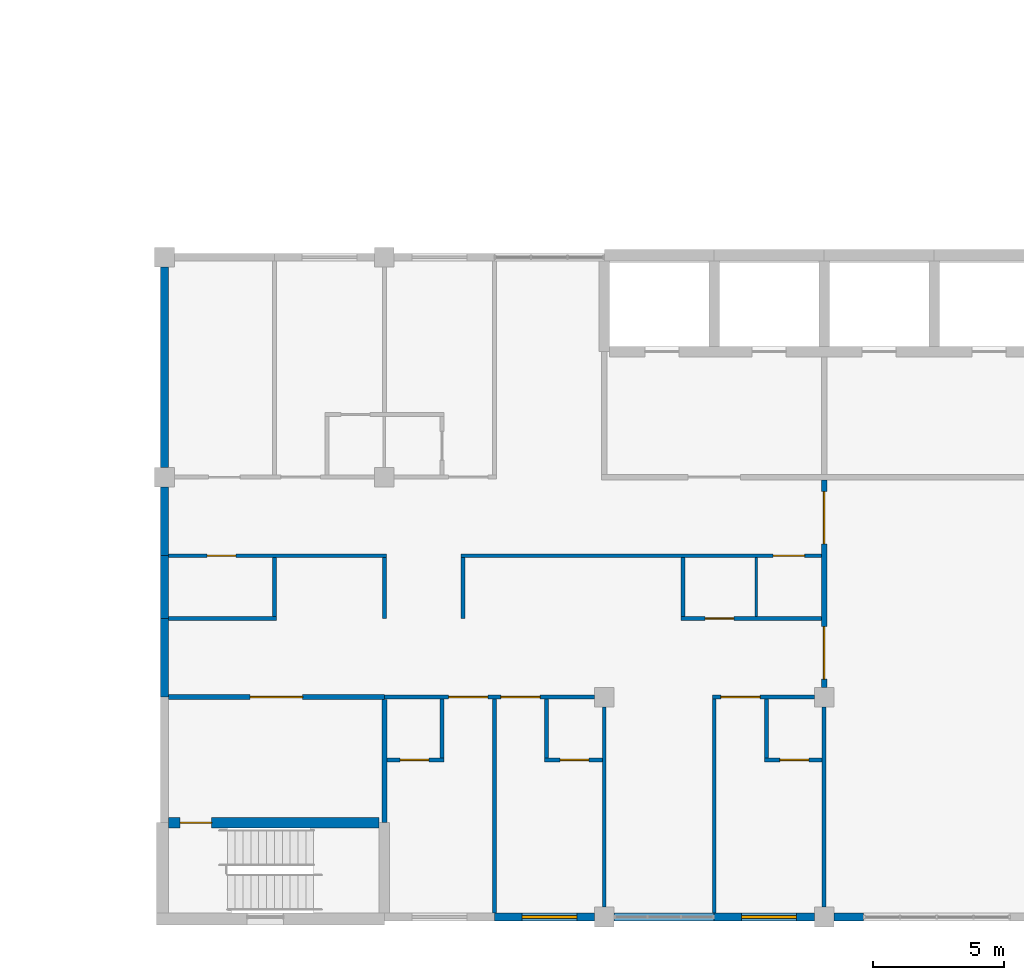
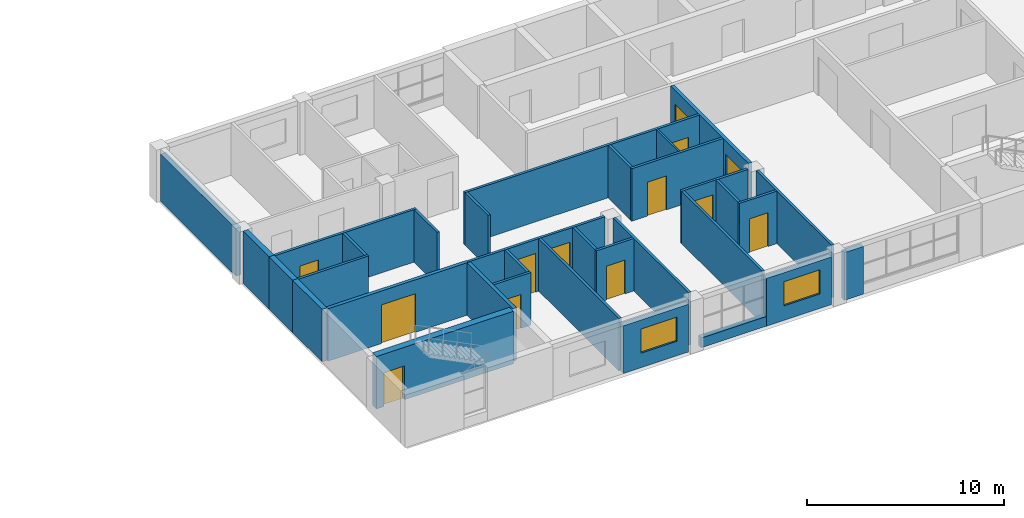
# One storey, part 30 of 46: 33 walls, 13 doors, 2 windows, 15 openings.
"""IFC4 building model written with IfcOpenShell, lengths in metres."""

from ifc_helpers import new_model, si_unit, direction, frame, frame_2d, origin, place, context, subcontext, project, spatial, rectangle, extrude, material, layer, layer_set, type_object, element, fill, save


model = new_model("IFC4")

# Units and contexts
model_context = context("Model", 3, precision=1e-05, world=origin(), true_north=direction((0.0, 1.0)))
body_context = subcontext(model_context, "Body", "Model", "MODEL_VIEW")
ifc_project = project(units=[si_unit("LENGTHUNIT", "METRE"), si_unit("AREAUNIT", "SQUARE_METRE"), si_unit("VOLUMEUNIT", "CUBIC_METRE"), si_unit("PLANEANGLEUNIT", "RADIAN"), si_unit("MASSUNIT", "GRAM", prefix="KILO")], contexts=[model_context])

# Site, building, storey
site_placement = place(None, origin())
site = spatial("IfcSite", under=ifc_project, at=site_placement, CompositionType="ELEMENT")
building_placement = place(site_placement, origin())
building = spatial("IfcBuilding", under=site, at=building_placement, Name="Yavir Park General Hospital", CompositionType="ELEMENT")
storey_placement = place(building_placement, frame((0.0, 0.0, 18.89990234375)))
storey = spatial("IfcBuildingStorey", under=building, at=storey_placement, Name="L04", CompositionType="ELEMENT", Elevation=18.89990234375)

# Wall, opening, door
ifc_material_1 = material(Name="Double gypsum board fire partition on steel studs", Category="steel")
ifc_layer_1 = layer(ifc_material_1, 0.199951171875)
ifc_layer_set_1 = layer_set([ifc_layer_1], Name="Double gypsum board fire partition on steel studs")
wall_type_1 = type_object("IfcWallType", Name="Fire-rated partition 200, EI 60", PredefinedType="PARTITIONING", material=ifc_layer_set_1)
wall_1_placement = place(storey_placement, frame((100.949951171875, 8.39990234375, 0.0), z_axis=(0.0, 0.0, 1.0), x_axis=(1.0, 0.0, 0.0)))
wall_1 = element("IfcWall", 1, at=wall_1_placement, inside=storey, type_object=wall_type_1, Name="FP20 L04-018", PredefinedType="PARTITIONING", context=body_context, shape_type="SweptSolid", body=[
    extrude(rectangle(XDim=8.25, YDim=0.199951171875, at=frame_2d((4.125, 0.0))), origin(), (0.0, 0.0, 1.0), 3.260009765625),
])
opening_1_placement = place(wall_1_placement, frame((3.125, 0.0, 0.0)))
opening_1 = element("IfcOpeningElement", 2, at=opening_1_placement, cuts=wall_1, Name="Opening L04.D023", PredefinedType="OPENING", context=body_context, shape_type="SweptSolid", body=[
    extrude(rectangle(XDim=2.0, YDim=2.39990234375, at=frame_2d((1.0, 1.199951171875))), frame((0.0, 0.10986328125, 0.0), z_axis=(0.0, -1.0, 0.0), x_axis=(1.0, 0.0, 0.0)), (0.0, 0.0, 1.0), 0.219970703125),
])
ifc_material_2 = material(Name="Steel frame, fire-resisting leaves with vision panels", Category="steel")
door_type_1 = type_object("IfcDoorType", Name="Double fire door with vision panels 2000 x 2400, EI 60", OperationType="DOUBLE_DOOR_SINGLE_SWING", PredefinedType="DOOR", material=ifc_material_2)
door_1_placement = place(opening_1_placement, origin())
door_1 = element("IfcDoor", 3, at=door_1_placement, inside=storey, type_object=door_type_1, Name="L04.D023", OperationType="SINGLE_SWING_RIGHT", OverallHeight=2.39990234375, OverallWidth=2.0, PredefinedType="DOOR", context=body_context, shape_type="SweptSolid", body=[
    extrude(rectangle(XDim=2.0, YDim=2.39990234375, at=frame_2d((1.0, 1.199951171875))), frame((0.0, 0.030029296875, 0.0), z_axis=(0.0, -1.0, 0.0), x_axis=(1.0, 0.0, 0.0)), (0.0, 0.0, 1.0), 0.06005859375),
])
fill(opening_1, door_1)

# Wall
wall_2_placement = place(storey_placement, frame((109.199951171875, 3.60009765625, 0.0), z_axis=(0.0, 0.0, 1.0), x_axis=(0.0, 1.0, 0.0)))
element("IfcWall", 4, at=wall_2_placement, inside=storey, type_object=wall_type_1, Name="FP20 L04-229", PredefinedType="PARTITIONING", context=body_context, shape_type="SweptSolid", body=[
    extrude(rectangle(XDim=4.699951171875, YDim=0.199951171875, at=frame_2d((2.35009765625, 0.0))), origin(), (0.0, 0.0, 1.0), 3.260009765625),
])

# Wall, openings, doors
wall_3_placement = place(storey_placement, frame((126.0, 8.77490234375, 0.0), z_axis=(0.0, 0.0, 1.0), x_axis=(0.0, 1.0, 0.0)))
wall_3 = element("IfcWall", 5, at=wall_3_placement, inside=storey, type_object=wall_type_1, Name="FP20 L04-248", PredefinedType="PARTITIONING", context=body_context, shape_type="SweptSolid", body=[
    extrude(rectangle(XDim=7.925048828125, YDim=0.199951171875, at=frame_2d((3.96240234375, 0.0))), origin(), (0.0, 0.0, 1.0), 3.260009765625),
])
opening_2_placement = place(wall_3_placement, frame((0.3125, 0.0, 0.0)))
opening_2 = element("IfcOpeningElement", 6, at=opening_2_placement, cuts=wall_3, Name="Opening L04.D145", PredefinedType="OPENING", context=body_context, shape_type="SweptSolid", body=[
    extrude(rectangle(XDim=2.0, YDim=2.39990234375, at=frame_2d((1.0, 1.199951171875))), frame((0.0, 0.10986328125, 0.0), z_axis=(0.0, -1.0, 0.0), x_axis=(1.0, 0.0, 0.0)), (0.0, 0.0, 1.0), 0.219970703125),
])
opening_3_placement = place(wall_3_placement, frame((5.47509765625, 0.0, 0.0)))
opening_3 = element("IfcOpeningElement", 7, at=opening_3_placement, cuts=wall_3, Name="Opening L04.D146", PredefinedType="OPENING", context=body_context, shape_type="SweptSolid", body=[
    extrude(rectangle(XDim=2.0, YDim=2.39990234375, at=frame_2d((1.0, 1.199951171875))), frame((0.0, 0.10986328125, 0.0), z_axis=(0.0, -1.0, 0.0), x_axis=(1.0, 0.0, 0.0)), (0.0, 0.0, 1.0), 0.219970703125),
])
door_2_placement = place(opening_2_placement, origin())
door_2 = element("IfcDoor", 8, at=door_2_placement, inside=storey, type_object=door_type_1, Name="L04.D145", OperationType="SINGLE_SWING_LEFT", OverallHeight=2.39990234375, OverallWidth=2.0, PredefinedType="DOOR", context=body_context, shape_type="SweptSolid", body=[
    extrude(rectangle(XDim=2.0, YDim=2.39990234375, at=frame_2d((1.0, 1.199951171875))), frame((0.0, 0.030029296875, 0.0), z_axis=(0.0, -1.0, 0.0), x_axis=(1.0, 0.0, 0.0)), (0.0, 0.0, 1.0), 0.06005859375),
])
fill(opening_2, door_2)
door_3_placement = place(opening_3_placement, origin())
door_3 = element("IfcDoor", 9, at=door_3_placement, inside=storey, type_object=door_type_1, Name="L04.D146", OperationType="SINGLE_SWING_RIGHT", OverallHeight=2.39990234375, OverallWidth=2.0, PredefinedType="DOOR", context=body_context, shape_type="SweptSolid", body=[
    extrude(rectangle(XDim=2.0, YDim=2.39990234375, at=frame_2d((1.0, 1.199951171875))), frame((0.0, 0.030029296875, 0.0), z_axis=(0.0, -1.0, 0.0), x_axis=(1.0, 0.0, 0.0)), (0.0, 0.0, 1.0), 0.06005859375),
])
fill(opening_3, door_3)

# Wall
ifc_material_3 = material(Name="Gypsum board partition on steel studs", Category="steel")
ifc_layer_2 = layer(ifc_material_3, 0.10009765625)
ifc_layer_set_2 = layer_set([ifc_layer_2], Name="Gypsum board partition on steel studs")
wall_type_2 = type_object("IfcWallType", Name="Gypsum board partition 100", PredefinedType="PARTITIONING", material=ifc_layer_set_2)
wall_4_placement = place(storey_placement, frame((123.39990234375, 11.47509765625, 0.0), z_axis=(0.0, 0.0, 1.0), x_axis=(0.0, 1.0, 0.0)))
element("IfcWall", 10, at=wall_4_placement, inside=storey, type_object=wall_type_2, Name="P10 L04-245", PredefinedType="PARTITIONING", context=body_context, shape_type="SweptSolid", body=[
    extrude(rectangle(XDim=2.25, YDim=0.10009765625, at=frame_2d((1.125, 0.0))), origin(), (0.0, 0.0, 1.0), 3.260009765625),
])

# Wall, opening, door
ifc_material_4 = material(Name="Gypsum board partition on steel studs", Category="steel")
ifc_layer_3 = layer(ifc_material_4, 0.14990234375)
ifc_layer_set_3 = layer_set([ifc_layer_3], Name="Gypsum board partition on steel studs")
wall_type_3 = type_object("IfcWallType", Name="Gypsum board partition 150", PredefinedType="PARTITIONING", material=ifc_layer_set_3)
wall_5_placement = place(storey_placement, frame((109.300048828125, 6.0, 0.0), z_axis=(0.0, 0.0, 1.0), x_axis=(1.0, 0.0, 0.0)))
wall_5 = element("IfcWall", 11, at=wall_5_placement, inside=storey, type_object=wall_type_3, Name="P15 L04-008", PredefinedType="PARTITIONING", context=body_context, shape_type="SweptSolid", body=[
    extrude(rectangle(XDim=2.175048828125, YDim=0.14990234375, at=frame_2d((1.08740234375, 0.0))), origin(), (0.0, 0.0, 1.0), 3.260009765625),
])
opening_4_placement = place(wall_5_placement, frame((0.5, 0.0, 0.0)))
opening_4 = element("IfcOpeningElement", 12, at=opening_4_placement, cuts=wall_5, Name="Opening L04.D009", PredefinedType="OPENING", context=body_context, shape_type="SweptSolid", body=[
    extrude(rectangle(XDim=1.10009765625, YDim=2.10009765625, at=frame_2d((0.550048828125, 1.050048828125))), frame((0.0, 0.0849609375, 0.0), z_axis=(0.0, -1.0, 0.0), x_axis=(1.0, 0.0, 0.0)), (0.0, 0.0, 1.0), 0.169921875),
])
ifc_material_5 = material(Name="Hollow metal frame, solid-core timber leaf", Category="wood")
door_type_2 = type_object("IfcDoorType", Name="Single swing door 1100 x 2100", OperationType="SINGLE_SWING_LEFT", PredefinedType="DOOR", material=ifc_material_5)
door_4_placement = place(opening_4_placement, origin())
door_4 = element("IfcDoor", 13, at=door_4_placement, inside=storey, type_object=door_type_2, Name="L04.D009", OperationType="SINGLE_SWING_LEFT", OverallHeight=2.10009765625, OverallWidth=1.10009765625, PredefinedType="DOOR", context=body_context, shape_type="SweptSolid", body=[
    extrude(rectangle(XDim=1.10009765625, YDim=2.10009765625, at=frame_2d((0.550048828125, 1.050048828125))), frame((0.0, 0.02490234375, 0.0), z_axis=(0.0, -1.0, 0.0), x_axis=(1.0, 0.0, 0.0)), (0.0, 0.0, 1.0), 0.050048828125),
])
fill(opening_4, door_4)

wall_6_placement = place(storey_placement, frame((115.324951171875, 6.0, 0.0), z_axis=(0.0, 0.0, 1.0), x_axis=(1.0, 0.0, 0.0)))
wall_6 = element("IfcWall", 14, at=wall_6_placement, inside=storey, type_object=wall_type_3, Name="P15 L04-009", PredefinedType="PARTITIONING", context=body_context, shape_type="SweptSolid", body=[
    extrude(rectangle(XDim=2.199951171875, YDim=0.14990234375, at=frame_2d((1.10009765625, 0.0))), origin(), (0.0, 0.0, 1.0), 3.260009765625),
])
opening_5_placement = place(wall_6_placement, frame((0.58740234375, 0.0, 0.0)))
opening_5 = element("IfcOpeningElement", 15, at=opening_5_placement, cuts=wall_6, Name="Opening L04.D010", PredefinedType="OPENING", context=body_context, shape_type="SweptSolid", body=[
    extrude(rectangle(XDim=1.10009765625, YDim=2.10009765625, at=frame_2d((0.550048828125, 1.050048828125))), frame((0.0, 0.0849609375, 0.0), z_axis=(0.0, -1.0, 0.0), x_axis=(1.0, 0.0, 0.0)), (0.0, 0.0, 1.0), 0.169921875),
])
door_5_placement = place(opening_5_placement, origin())
door_5 = element("IfcDoor", 16, at=door_5_placement, inside=storey, type_object=door_type_2, Name="L04.D010", OperationType="SINGLE_SWING_RIGHT", OverallHeight=2.10009765625, OverallWidth=1.10009765625, PredefinedType="DOOR", context=body_context, shape_type="SweptSolid", body=[
    extrude(rectangle(XDim=1.10009765625, YDim=2.10009765625, at=frame_2d((0.550048828125, 1.050048828125))), frame((0.0, 0.02490234375, 0.0), z_axis=(0.0, -1.0, 0.0), x_axis=(1.0, 0.0, 0.0)), (0.0, 0.0, 1.0), 0.050048828125),
])
fill(opening_5, door_5)

wall_7_placement = place(storey_placement, frame((123.72509765625, 6.0, 0.0), z_axis=(0.0, 0.0, 1.0), x_axis=(1.0, 0.0, 0.0)))
wall_7 = element("IfcWall", 17, at=wall_7_placement, inside=storey, type_object=wall_type_3, Name="P15 L04-010", PredefinedType="PARTITIONING", context=body_context, shape_type="SweptSolid", body=[
    extrude(rectangle(XDim=2.199951171875, YDim=0.14990234375, at=frame_2d((1.10009765625, 0.0))), origin(), (0.0, 0.0, 1.0), 3.260009765625),
])
opening_6_placement = place(wall_7_placement, frame((0.58740234375, 0.0, 0.0)))
opening_6 = element("IfcOpeningElement", 18, at=opening_6_placement, cuts=wall_7, Name="Opening L04.D011", PredefinedType="OPENING", context=body_context, shape_type="SweptSolid", body=[
    extrude(rectangle(XDim=1.10009765625, YDim=2.10009765625, at=frame_2d((0.550048828125, 1.050048828125))), frame((0.0, 0.0849609375, 0.0), z_axis=(0.0, -1.0, 0.0), x_axis=(1.0, 0.0, 0.0)), (0.0, 0.0, 1.0), 0.169921875),
])
door_6_placement = place(opening_6_placement, origin())
door_6 = element("IfcDoor", 19, at=door_6_placement, inside=storey, type_object=door_type_2, Name="L04.D011", OperationType="SINGLE_SWING_RIGHT", OverallHeight=2.10009765625, OverallWidth=1.10009765625, PredefinedType="DOOR", context=body_context, shape_type="SweptSolid", body=[
    extrude(rectangle(XDim=1.10009765625, YDim=2.10009765625, at=frame_2d((0.550048828125, 1.050048828125))), frame((0.0, 0.02490234375, 0.0), z_axis=(0.0, -1.0, 0.0), x_axis=(1.0, 0.0, 0.0)), (0.0, 0.0, 1.0), 0.050048828125),
])
fill(opening_6, door_6)

# Wall, openings, doors
wall_8_placement = place(storey_placement, frame((109.199951171875, 8.39990234375, 0.0), z_axis=(0.0, 0.0, 1.0), x_axis=(1.0, 0.0, 0.0)))
wall_8 = element("IfcWall", 20, at=wall_8_placement, inside=storey, type_object=wall_type_3, Name="P15 L04-019", PredefinedType="PARTITIONING", context=body_context, shape_type="SweptSolid", body=[
    extrude(rectangle(XDim=8.025146484375, YDim=0.14990234375, at=frame_2d((4.0126953125, 0.0))), origin(), (0.0, 0.0, 1.0), 3.260009765625),
])
opening_7_placement = place(wall_8_placement, frame((2.449951171875, 0.0, 0.0)))
opening_7 = element("IfcOpeningElement", 21, at=opening_7_placement, cuts=wall_8, Name="Opening L04.D024", PredefinedType="OPENING", context=body_context, shape_type="SweptSolid", body=[
    extrude(rectangle(XDim=1.5, YDim=2.39990234375, at=frame_2d((0.75, 1.199951171875))), frame((0.0, 0.0849609375, 0.0), z_axis=(0.0, -1.0, 0.0), x_axis=(1.0, 0.0, 0.0)), (0.0, 0.0, 1.0), 0.169921875),
])
opening_8_placement = place(wall_8_placement, frame((4.449951171875, 0.0, 0.0)))
opening_8 = element("IfcOpeningElement", 22, at=opening_8_placement, cuts=wall_8, Name="Opening L04.D025", PredefinedType="OPENING", context=body_context, shape_type="SweptSolid", body=[
    extrude(rectangle(XDim=1.5, YDim=2.39990234375, at=frame_2d((0.75, 1.199951171875))), frame((0.0, 0.0849609375, 0.0), z_axis=(0.0, -1.0, 0.0), x_axis=(1.0, 0.0, 0.0)), (0.0, 0.0, 1.0), 0.169921875),
])
ifc_material_6 = material(Name="Solid-core timber leaves, push plates, kick plates", Category="wood")
door_type_3 = type_object("IfcDoorType", Name="Bed door, unequal leaves 1500 x 2400", OperationType="DOUBLE_DOOR_SINGLE_SWING", PredefinedType="DOOR", material=ifc_material_6)
door_7_placement = place(opening_7_placement, origin())
door_7 = element("IfcDoor", 23, at=door_7_placement, inside=storey, type_object=door_type_3, Name="L04.D024", OperationType="SINGLE_SWING_LEFT", OverallHeight=2.39990234375, OverallWidth=1.5, PredefinedType="DOOR", context=body_context, shape_type="SweptSolid", body=[
    extrude(rectangle(XDim=1.5, YDim=2.39990234375, at=frame_2d((0.75, 1.199951171875))), frame((0.0, 0.030029296875, 0.0), z_axis=(0.0, -1.0, 0.0), x_axis=(1.0, 0.0, 0.0)), (0.0, 0.0, 1.0), 0.06005859375),
])
fill(opening_7, door_7)
door_8_placement = place(opening_8_placement, origin())
door_8 = element("IfcDoor", 24, at=door_8_placement, inside=storey, type_object=door_type_3, Name="L04.D025", OperationType="SINGLE_SWING_LEFT", OverallHeight=2.39990234375, OverallWidth=1.5, PredefinedType="DOOR", context=body_context, shape_type="SweptSolid", body=[
    extrude(rectangle(XDim=1.5, YDim=2.39990234375, at=frame_2d((0.75, 1.199951171875))), frame((0.0, 0.030029296875, 0.0), z_axis=(0.0, -1.0, 0.0), x_axis=(1.0, 0.0, 0.0)), (0.0, 0.0, 1.0), 0.06005859375),
])
fill(opening_8, door_8)

# Wall, opening, door
wall_9_placement = place(storey_placement, frame((121.72509765625, 8.39990234375, 0.0), z_axis=(0.0, 0.0, 1.0), x_axis=(1.0, 0.0, 0.0)))
wall_9 = element("IfcWall", 25, at=wall_9_placement, inside=storey, type_object=wall_type_3, Name="P15 L04-020", PredefinedType="PARTITIONING", context=body_context, shape_type="SweptSolid", body=[
    extrude(rectangle(XDim=3.89990234375, YDim=0.14990234375, at=frame_2d((1.949951171875, 0.0))), origin(), (0.0, 0.0, 1.0), 3.260009765625),
])
opening_9_placement = place(wall_9_placement, frame((0.324951171875, 0.0, 0.0)))
opening_9 = element("IfcOpeningElement", 26, at=opening_9_placement, cuts=wall_9, Name="Opening L04.D026", PredefinedType="OPENING", context=body_context, shape_type="SweptSolid", body=[
    extrude(rectangle(XDim=1.5, YDim=2.39990234375, at=frame_2d((0.75, 1.199951171875))), frame((0.0, 0.0849609375, 0.0), z_axis=(0.0, -1.0, 0.0), x_axis=(1.0, 0.0, 0.0)), (0.0, 0.0, 1.0), 0.169921875),
])
door_9_placement = place(opening_9_placement, origin())
door_9 = element("IfcDoor", 27, at=door_9_placement, inside=storey, type_object=door_type_3, Name="L04.D026", OperationType="SINGLE_SWING_LEFT", OverallHeight=2.39990234375, OverallWidth=1.5, PredefinedType="DOOR", context=body_context, shape_type="SweptSolid", body=[
    extrude(rectangle(XDim=1.5, YDim=2.39990234375, at=frame_2d((0.75, 1.199951171875))), frame((0.0, 0.030029296875, 0.0), z_axis=(0.0, -1.0, 0.0), x_axis=(1.0, 0.0, 0.0)), (0.0, 0.0, 1.0), 0.06005859375),
])
fill(opening_9, door_9)

# Wall
wall_10_placement = place(storey_placement, frame((100.949951171875, 11.39990234375, 0.0), z_axis=(0.0, 0.0, 1.0), x_axis=(1.0, 0.0, 0.0)))
element("IfcWall", 28, at=wall_10_placement, inside=storey, type_object=wall_type_3, Name="P15 L04-026", PredefinedType="PARTITIONING", context=body_context, shape_type="SweptSolid", body=[
    extrude(rectangle(XDim=4.125, YDim=0.14990234375, at=frame_2d((2.0625, 0.0))), origin(), (0.0, 0.0, 1.0), 3.260009765625),
])

# Wall, opening, door
wall_11_placement = place(storey_placement, frame((120.52490234375, 11.39990234375, 0.0), z_axis=(0.0, 0.0, 1.0), x_axis=(1.0, 0.0, 0.0)))
wall_11 = element("IfcWall", 29, at=wall_11_placement, inside=storey, type_object=wall_type_3, Name="P15 L04-027", PredefinedType="PARTITIONING", context=body_context, shape_type="SweptSolid", body=[
    extrude(rectangle(XDim=5.375, YDim=0.14990234375, at=frame_2d((2.6875, 0.0))), origin(), (0.0, 0.0, 1.0), 3.260009765625),
])
opening_10_placement = place(wall_11_placement, frame((0.925048828125, 0.0, 0.0)))
opening_10 = element("IfcOpeningElement", 30, at=opening_10_placement, cuts=wall_11, Name="Opening L04.D033", PredefinedType="OPENING", context=body_context, shape_type="SweptSolid", body=[
    extrude(rectangle(XDim=1.10009765625, YDim=2.10009765625, at=frame_2d((0.550048828125, 1.050048828125))), frame((0.0, 0.0849609375, 0.0), z_axis=(0.0, -1.0, 0.0), x_axis=(1.0, 0.0, 0.0)), (0.0, 0.0, 1.0), 0.169921875),
])
door_10_placement = place(opening_10_placement, origin())
door_10 = element("IfcDoor", 31, at=door_10_placement, inside=storey, type_object=door_type_2, Name="L04.D033", OperationType="SINGLE_SWING_RIGHT", OverallHeight=2.10009765625, OverallWidth=1.10009765625, PredefinedType="DOOR", context=body_context, shape_type="SweptSolid", body=[
    extrude(rectangle(XDim=1.10009765625, YDim=2.10009765625, at=frame_2d((0.550048828125, 1.050048828125))), frame((0.0, 0.02490234375, 0.0), z_axis=(0.0, -1.0, 0.0), x_axis=(1.0, 0.0, 0.0)), (0.0, 0.0, 1.0), 0.050048828125),
])
fill(opening_10, door_10)

wall_12_placement = place(storey_placement, frame((100.949951171875, 13.800048828125, 0.0), z_axis=(0.0, 0.0, 1.0), x_axis=(1.0, 0.0, 0.0)))
wall_12 = element("IfcWall", 32, at=wall_12_placement, inside=storey, type_object=wall_type_3, Name="P15 L04-031", PredefinedType="PARTITIONING", context=body_context, shape_type="SweptSolid", body=[
    extrude(rectangle(XDim=8.324951171875, YDim=0.14990234375, at=frame_2d((4.16259765625, 0.0))), origin(), (0.0, 0.0, 1.0), 3.260009765625),
])
opening_11_placement = place(wall_12_placement, frame((1.47509765625, 0.0, 0.0)))
opening_11 = element("IfcOpeningElement", 33, at=opening_11_placement, cuts=wall_12, Name="Opening L04.D036", PredefinedType="OPENING", context=body_context, shape_type="SweptSolid", body=[
    extrude(rectangle(XDim=1.10009765625, YDim=2.10009765625, at=frame_2d((0.550048828125, 1.050048828125))), frame((0.0, 0.0849609375, 0.0), z_axis=(0.0, -1.0, 0.0), x_axis=(1.0, 0.0, 0.0)), (0.0, 0.0, 1.0), 0.169921875),
])
door_11_placement = place(opening_11_placement, origin())
door_11 = element("IfcDoor", 34, at=door_11_placement, inside=storey, type_object=door_type_2, Name="L04.D036", OperationType="SINGLE_SWING_RIGHT", OverallHeight=2.10009765625, OverallWidth=1.10009765625, PredefinedType="DOOR", context=body_context, shape_type="SweptSolid", body=[
    extrude(rectangle(XDim=1.10009765625, YDim=2.10009765625, at=frame_2d((0.550048828125, 1.050048828125))), frame((0.0, 0.02490234375, 0.0), z_axis=(0.0, -1.0, 0.0), x_axis=(1.0, 0.0, 0.0)), (0.0, 0.0, 1.0), 0.050048828125),
])
fill(opening_11, door_11)

wall_13_placement = place(storey_placement, frame((112.125, 13.800048828125, 0.0), z_axis=(0.0, 0.0, 1.0), x_axis=(1.0, 0.0, 0.0)))
wall_13 = element("IfcWall", 35, at=wall_13_placement, inside=storey, type_object=wall_type_3, Name="P15 L04-032", PredefinedType="PARTITIONING", context=body_context, shape_type="SweptSolid", body=[
    extrude(rectangle(XDim=13.77490234375, YDim=0.14990234375, at=frame_2d((6.887451171875, 0.0))), origin(), (0.0, 0.0, 1.0), 3.260009765625),
])
opening_12_placement = place(wall_13_placement, frame((11.925048828125, 0.0, 0.0)))
opening_12 = element("IfcOpeningElement", 36, at=opening_12_placement, cuts=wall_13, Name="Opening L04.D037", PredefinedType="OPENING", context=body_context, shape_type="SweptSolid", body=[
    extrude(rectangle(XDim=1.199951171875, YDim=2.10009765625, at=frame_2d((0.60009765625, 1.050048828125))), frame((0.0, 0.0849609375, 0.0), z_axis=(0.0, -1.0, 0.0), x_axis=(1.0, 0.0, 0.0)), (0.0, 0.0, 1.0), 0.169921875),
])
ifc_material_7 = material(Name="Hollow metal frame, solid-core timber leaf", Category="wood")
door_type_4 = type_object("IfcDoorType", Name="Single swing door 1200 x 2100", OperationType="SINGLE_SWING_LEFT", PredefinedType="DOOR", material=ifc_material_7)
door_12_placement = place(opening_12_placement, origin())
door_12 = element("IfcDoor", 37, at=door_12_placement, inside=storey, type_object=door_type_4, Name="L04.D037", OperationType="SINGLE_SWING_LEFT", OverallHeight=2.10009765625, OverallWidth=1.199951171875, PredefinedType="DOOR", context=body_context, shape_type="SweptSolid", body=[
    extrude(rectangle(XDim=1.199951171875, YDim=2.10009765625, at=frame_2d((0.60009765625, 1.050048828125))), frame((0.0, 0.02490234375, 0.0), z_axis=(0.0, -1.0, 0.0), x_axis=(1.0, 0.0, 0.0)), (0.0, 0.0, 1.0), 0.050048828125),
])
fill(opening_12, door_12)

# Walls
wall_14_placement = place(storey_placement, frame((105.0, 11.47509765625, 0.0), z_axis=(0.0, 0.0, 1.0), x_axis=(0.0, 1.0, 0.0)))
element("IfcWall", 38, at=wall_14_placement, inside=storey, type_object=wall_type_3, Name="P15 L04-225", PredefinedType="PARTITIONING", context=body_context, shape_type="SweptSolid", body=[
    extrude(rectangle(XDim=2.25, YDim=0.14990234375, at=frame_2d((1.125, 0.0))), origin(), (0.0, 0.0, 1.0), 3.260009765625),
])
wall_15_placement = place(storey_placement, frame((109.199951171875, 11.39990234375, 0.0), z_axis=(0.0, 0.0, 1.0), x_axis=(0.0, 1.0, 0.0)))
element("IfcWall", 39, at=wall_15_placement, inside=storey, type_object=wall_type_3, Name="P15 L04-230", PredefinedType="PARTITIONING", context=body_context, shape_type="SweptSolid", body=[
    extrude(rectangle(XDim=2.3251953125, YDim=0.14990234375, at=frame_2d((1.16259765625, 0.0))), origin(), (0.0, 0.0, 1.0), 3.260009765625),
])
wall_16_placement = place(storey_placement, frame((111.39990234375, 6.074951171875, 0.0), z_axis=(0.0, 0.0, 1.0), x_axis=(0.0, 1.0, 0.0)))
element("IfcWall", 40, at=wall_16_placement, inside=storey, type_object=wall_type_3, Name="P15 L04-233", PredefinedType="PARTITIONING", context=body_context, shape_type="SweptSolid", body=[
    extrude(rectangle(XDim=2.25, YDim=0.14990234375, at=frame_2d((1.125, 0.0))), origin(), (0.0, 0.0, 1.0), 3.260009765625),
])
wall_17_placement = place(storey_placement, frame((112.199951171875, 11.39990234375, 0.0), z_axis=(0.0, 0.0, 1.0), x_axis=(0.0, 1.0, 0.0)))
element("IfcWall", 41, at=wall_17_placement, inside=storey, type_object=wall_type_3, Name="P15 L04-235", PredefinedType="PARTITIONING", context=body_context, shape_type="SweptSolid", body=[
    extrude(rectangle(XDim=2.3251953125, YDim=0.14990234375, at=frame_2d((1.16259765625, 0.0))), origin(), (0.0, 0.0, 1.0), 3.260009765625),
])
wall_18_placement = place(storey_placement, frame((113.39990234375, 0.14990234375, 0.0), z_axis=(0.0, 0.0, 1.0), x_axis=(0.0, 1.0, 0.0)))
element("IfcWall", 42, at=wall_18_placement, inside=storey, type_object=wall_type_3, Name="P15 L04-236", PredefinedType="PARTITIONING", context=body_context, shape_type="SweptSolid", body=[
    extrude(rectangle(XDim=8.175048828125, YDim=0.14990234375, at=frame_2d((4.08740234375, 0.0))), origin(), (0.0, 0.0, 1.0), 3.260009765625),
])
wall_19_placement = place(storey_placement, frame((115.39990234375, 6.074951171875, 0.0), z_axis=(0.0, 0.0, 1.0), x_axis=(0.0, 1.0, 0.0)))
element("IfcWall", 43, at=wall_19_placement, inside=storey, type_object=wall_type_3, Name="P15 L04-238", PredefinedType="PARTITIONING", context=body_context, shape_type="SweptSolid", body=[
    extrude(rectangle(XDim=2.25, YDim=0.14990234375, at=frame_2d((1.125, 0.0))), origin(), (0.0, 0.0, 1.0), 3.260009765625),
])
wall_20_placement = place(storey_placement, frame((117.60009765625, 0.375, 0.0), z_axis=(0.0, 0.0, 1.0), x_axis=(0.0, 1.0, 0.0)))
element("IfcWall", 44, at=wall_20_placement, inside=storey, type_object=wall_type_3, Name="P15 L04-239", PredefinedType="PARTITIONING", context=body_context, shape_type="SweptSolid", body=[
    extrude(rectangle(XDim=7.64990234375, YDim=0.14990234375, at=frame_2d((3.824951171875, 0.0))), origin(), (0.0, 0.0, 1.0), 3.260009765625),
])
wall_21_placement = place(storey_placement, frame((120.60009765625, 11.47509765625, 0.0), z_axis=(0.0, 0.0, 1.0), x_axis=(0.0, 1.0, 0.0)))
element("IfcWall", 45, at=wall_21_placement, inside=storey, type_object=wall_type_3, Name="P15 L04-242", PredefinedType="PARTITIONING", context=body_context, shape_type="SweptSolid", body=[
    extrude(rectangle(XDim=2.25, YDim=0.14990234375, at=frame_2d((1.125, 0.0))), origin(), (0.0, 0.0, 1.0), 3.260009765625),
])
wall_22_placement = place(storey_placement, frame((121.800048828125, 0.14990234375, 0.0), z_axis=(0.0, 0.0, 1.0), x_axis=(0.0, 1.0, 0.0)))
element("IfcWall", 46, at=wall_22_placement, inside=storey, type_object=wall_type_3, Name="P15 L04-243", PredefinedType="PARTITIONING", context=body_context, shape_type="SweptSolid", body=[
    extrude(rectangle(XDim=8.175048828125, YDim=0.14990234375, at=frame_2d((4.08740234375, 0.0))), origin(), (0.0, 0.0, 1.0), 3.260009765625),
])
wall_23_placement = place(storey_placement, frame((123.800048828125, 6.074951171875, 0.0), z_axis=(0.0, 0.0, 1.0), x_axis=(0.0, 1.0, 0.0)))
element("IfcWall", 47, at=wall_23_placement, inside=storey, type_object=wall_type_3, Name="P15 L04-246", PredefinedType="PARTITIONING", context=body_context, shape_type="SweptSolid", body=[
    extrude(rectangle(XDim=2.25, YDim=0.14990234375, at=frame_2d((1.125, 0.0))), origin(), (0.0, 0.0, 1.0), 3.260009765625),
])
wall_24_placement = place(storey_placement, frame((126.0, 0.375, 0.0), z_axis=(0.0, 0.0, 1.0), x_axis=(0.0, 1.0, 0.0)))
element("IfcWall", 48, at=wall_24_placement, inside=storey, type_object=wall_type_3, Name="P15 L04-247", PredefinedType="PARTITIONING", context=body_context, shape_type="SweptSolid", body=[
    extrude(rectangle(XDim=7.64990234375, YDim=0.14990234375, at=frame_2d((3.824951171875, 0.0))), origin(), (0.0, 0.0, 1.0), 3.260009765625),
])

# Wall, opening, window
ifc_material_8 = material(Name="Autoclaved aerated block, mineral wool and ochre mineral render")
ifc_layer_4 = layer(ifc_material_8, 0.300048828125)
ifc_layer_set_4 = layer_set([ifc_layer_4], Name="Autoclaved aerated block, mineral wool and ochre mineral render")
wall_type_4 = type_object("IfcWallType", Name="Ochre render ward wall 300, E 30", PredefinedType="SOLIDWALL", material=ifc_layer_set_4)
wall_25_placement = place(storey_placement, frame((113.39990234375, 0.0, 0.0), z_axis=(0.0, 0.0, 1.0), x_axis=(1.0, 0.0, 0.0)))
wall_25 = element("IfcWall", 49, at=wall_25_placement, inside=storey, type_object=wall_type_4, Name="XW7 L04-017", PredefinedType="SOLIDWALL", context=body_context, shape_type="SweptSolid", body=[
    extrude(rectangle(XDim=3.8251953125, YDim=0.300048828125, at=frame_2d((1.91259765625, 0.0))), origin(), (0.0, 0.0, 1.0), 2.960205078125),
])
opening_13_placement = place(wall_25_placement, frame((1.050048828125, 0.0, 0.89990234375)))
opening_13 = element("IfcOpeningElement", 50, at=opening_13_placement, cuts=wall_25, Name="Opening WAR", PredefinedType="OPENING", context=body_context, shape_type="SweptSolid", body=[
    extrude(rectangle(XDim=2.10009765625, YDim=1.5, at=frame_2d((1.050048828125, 0.75))), frame((0.0, 0.159912109375, 0.0), z_axis=(0.0, -1.0, 0.0), x_axis=(1.0, 0.0, 0.0)), (0.0, 0.0, 1.0), 0.320068359375),
])
ifc_material_9 = material(Name="Aluminium frame, tilt-and-turn sash with opening restrictor, double glazed unit", Category="aluminium")
window_type = type_object("IfcWindowType", Name="Ward window, restricted opening 2100 x 1500", PartitioningType="DOUBLE_PANEL_VERTICAL", PredefinedType="WINDOW", material=ifc_material_9)
window_1_placement = place(opening_13_placement, origin())
window_1 = element("IfcWindow", 51, at=window_1_placement, inside=storey, type_object=window_type, Name="WAR L04-007", OverallHeight=1.5, OverallWidth=2.10009765625, PartitioningType="DOUBLE_PANEL_VERTICAL", PredefinedType="WINDOW", context=body_context, shape_type="SweptSolid", body=[
    extrude(rectangle(XDim=2.10009765625, YDim=1.5, at=frame_2d((1.050048828125, 0.75))), frame((0.0, 0.050048828125, 0.0), z_axis=(0.0, -1.0, 0.0), x_axis=(1.0, 0.0, 0.0)), (0.0, 0.0, 1.0), 0.10009765625),
])
fill(opening_13, window_1)

# Wall
wall_26_placement = place(storey_placement, frame((117.97509765625, 0.0, 0.0), z_axis=(0.0, 0.0, 1.0), x_axis=(1.0, 0.0, 0.0)))
element("IfcWall", 52, at=wall_26_placement, inside=storey, type_object=wall_type_4, Name="XW7 L04-018", PredefinedType="SOLIDWALL", context=body_context, shape_type="SweptSolid", body=[
    extrude(rectangle(XDim=3.824951171875, YDim=0.300048828125, at=frame_2d((1.91259765625, 0.0))), origin(), (0.0, 0.0, 1.0), 0.60009765625),
])

# Wall, opening, window
wall_27_placement = place(storey_placement, frame((121.800048828125, 0.0, 0.0), z_axis=(0.0, 0.0, 1.0), x_axis=(1.0, 0.0, 0.0)))
wall_27 = element("IfcWall", 53, at=wall_27_placement, inside=storey, type_object=wall_type_4, Name="XW7 L04-019", PredefinedType="SOLIDWALL", context=body_context, shape_type="SweptSolid", body=[
    extrude(rectangle(XDim=3.824951171875, YDim=0.300048828125, at=frame_2d((1.91259765625, 0.0))), origin(), (0.0, 0.0, 1.0), 2.960205078125),
])
opening_14_placement = place(wall_27_placement, frame((1.050048828125, 0.0, 0.89990234375)))
opening_14 = element("IfcOpeningElement", 54, at=opening_14_placement, cuts=wall_27, Name="Opening WAR", PredefinedType="OPENING", context=body_context, shape_type="SweptSolid", body=[
    extrude(rectangle(XDim=2.10009765625, YDim=1.5, at=frame_2d((1.050048828125, 0.75))), frame((0.0, 0.159912109375, 0.0), z_axis=(0.0, -1.0, 0.0), x_axis=(1.0, 0.0, 0.0)), (0.0, 0.0, 1.0), 0.320068359375),
])
window_2_placement = place(opening_14_placement, origin())
window_2 = element("IfcWindow", 55, at=window_2_placement, inside=storey, type_object=window_type, Name="WAR L04-008", OverallHeight=1.5, OverallWidth=2.10009765625, PartitioningType="DOUBLE_PANEL_VERTICAL", PredefinedType="WINDOW", context=body_context, shape_type="SweptSolid", body=[
    extrude(rectangle(XDim=2.10009765625, YDim=1.5, at=frame_2d((1.050048828125, 0.75))), frame((0.0, 0.050048828125, 0.0), z_axis=(0.0, -1.0, 0.0), x_axis=(1.0, 0.0, 0.0)), (0.0, 0.0, 1.0), 0.10009765625),
])
fill(opening_14, window_2)

# Walls
wall_28_placement = place(storey_placement, frame((126.375, 0.0, 0.0), z_axis=(0.0, 0.0, 1.0), x_axis=(1.0, 0.0, 0.0)))
element("IfcWall", 56, at=wall_28_placement, inside=storey, type_object=wall_type_4, Name="XW7 L04-020", PredefinedType="SOLIDWALL", context=body_context, shape_type="SweptSolid", body=[
    extrude(rectangle(XDim=1.125, YDim=0.300048828125, at=frame_2d((0.5625, 0.0))), origin(), (0.0, 0.0, 1.0), 2.960205078125),
])
wall_29_placement = place(storey_placement, frame((100.800048828125, 8.39990234375, 0.0), z_axis=(0.0, 0.0, 1.0), x_axis=(0.0, 1.0, 0.0)))
element("IfcWall", 57, at=wall_29_placement, inside=storey, type_object=wall_type_4, Name="XW7 L04-137", PredefinedType="SOLIDWALL", context=body_context, shape_type="SweptSolid", body=[
    extrude(rectangle(XDim=3.0, YDim=0.300048828125, at=frame_2d((1.5, 0.0))), origin(), (0.0, 0.0, 1.0), 3.260009765625),
])
wall_30_placement = place(storey_placement, frame((100.800048828125, 11.39990234375, 0.0), z_axis=(0.0, 0.0, 1.0), x_axis=(0.0, 1.0, 0.0)))
element("IfcWall", 58, at=wall_30_placement, inside=storey, type_object=wall_type_4, Name="XW7 L04-138", PredefinedType="SOLIDWALL", context=body_context, shape_type="SweptSolid", body=[
    extrude(rectangle(XDim=2.400146484375, YDim=0.300048828125, at=frame_2d((1.2001953125, 0.0))), origin(), (0.0, 0.0, 1.0), 3.260009765625),
])
wall_31_placement = place(storey_placement, frame((100.800048828125, 13.800048828125, 0.0), z_axis=(0.0, 0.0, 1.0), x_axis=(0.0, 1.0, 0.0)))
element("IfcWall", 59, at=wall_31_placement, inside=storey, type_object=wall_type_4, Name="XW7 L04-139", PredefinedType="SOLIDWALL", context=body_context, shape_type="SweptSolid", body=[
    extrude(rectangle(XDim=2.625, YDim=0.300048828125, at=frame_2d((1.3125, 0.0))), origin(), (0.0, 0.0, 1.0), 3.260009765625),
])
wall_32_placement = place(storey_placement, frame((100.800048828125, 17.175048828125, 0.0), z_axis=(0.0, 0.0, 1.0), x_axis=(0.0, 1.0, 0.0)))
element("IfcWall", 60, at=wall_32_placement, inside=storey, type_object=wall_type_4, Name="XW7 L04-140", PredefinedType="SOLIDWALL", context=body_context, shape_type="SweptSolid", body=[
    extrude(rectangle(XDim=7.64990234375, YDim=0.300048828125, at=frame_2d((3.824951171875, 0.0))), origin(), (0.0, 0.0, 1.0), 2.960205078125),
])

# Wall, opening, door
ifc_material_10 = material(Name="Concrete C35/45", Category="concrete")
ifc_layer_5 = layer(ifc_material_10, 0.39990234375)
ifc_layer_set_5 = layer_set([ifc_layer_5], Name="Concrete C35/45")
wall_type_5 = type_object("IfcWallType", Name="Reinforced concrete core wall 400, REI 150", PredefinedType="SHEAR", material=ifc_layer_set_5)
wall_33_placement = place(storey_placement, frame((100.949951171875, 3.60009765625, 0.0), z_axis=(0.0, 0.0, 1.0), x_axis=(1.0, 0.0, 0.0)))
wall_33 = element("IfcWall", 61, at=wall_33_placement, inside=storey, type_object=wall_type_5, Name="CW40 L04-002", PredefinedType="SHEAR", context=body_context, shape_type="SweptSolid", body=[
    extrude(rectangle(XDim=8.050048828125, YDim=0.39990234375, at=frame_2d((4.02490234375, 0.0))), origin(), (0.0, 0.0, 1.0), 3.260009765625),
])
opening_15_placement = place(wall_33_placement, frame((0.449951171875, 0.0, 0.0)))
opening_15 = element("IfcOpeningElement", 62, at=opening_15_placement, cuts=wall_33, Name="Opening L04.D002", PredefinedType="OPENING", context=body_context, shape_type="SweptSolid", body=[
    extrude(rectangle(XDim=1.199951171875, YDim=2.10009765625, at=frame_2d((0.60009765625, 1.050048828125))), frame((0.0, 0.2099609375, 0.0), z_axis=(0.0, -1.0, 0.0), x_axis=(1.0, 0.0, 0.0)), (0.0, 0.0, 1.0), 0.419921875),
])
ifc_material_11 = material(Name="Steel frame, fire-resisting timber leaf", Category="steel")
door_type_5 = type_object("IfcDoorType", Name="Fire door 1200 x 2100, EI 60", OperationType="SINGLE_SWING_LEFT", PredefinedType="DOOR", material=ifc_material_11)
door_13_placement = place(opening_15_placement, origin())
door_13 = element("IfcDoor", 63, at=door_13_placement, inside=storey, type_object=door_type_5, Name="L04.D002", OperationType="SINGLE_SWING_LEFT", OverallHeight=2.10009765625, OverallWidth=1.199951171875, PredefinedType="DOOR", context=body_context, shape_type="SweptSolid", body=[
    extrude(rectangle(XDim=1.199951171875, YDim=2.10009765625, at=frame_2d((0.60009765625, 1.050048828125))), frame((0.0, 0.02490234375, 0.0), z_axis=(0.0, -1.0, 0.0), x_axis=(1.0, 0.0, 0.0)), (0.0, 0.0, 1.0), 0.050048828125),
])
fill(opening_15, door_13)

save(model, "model.ifc")
